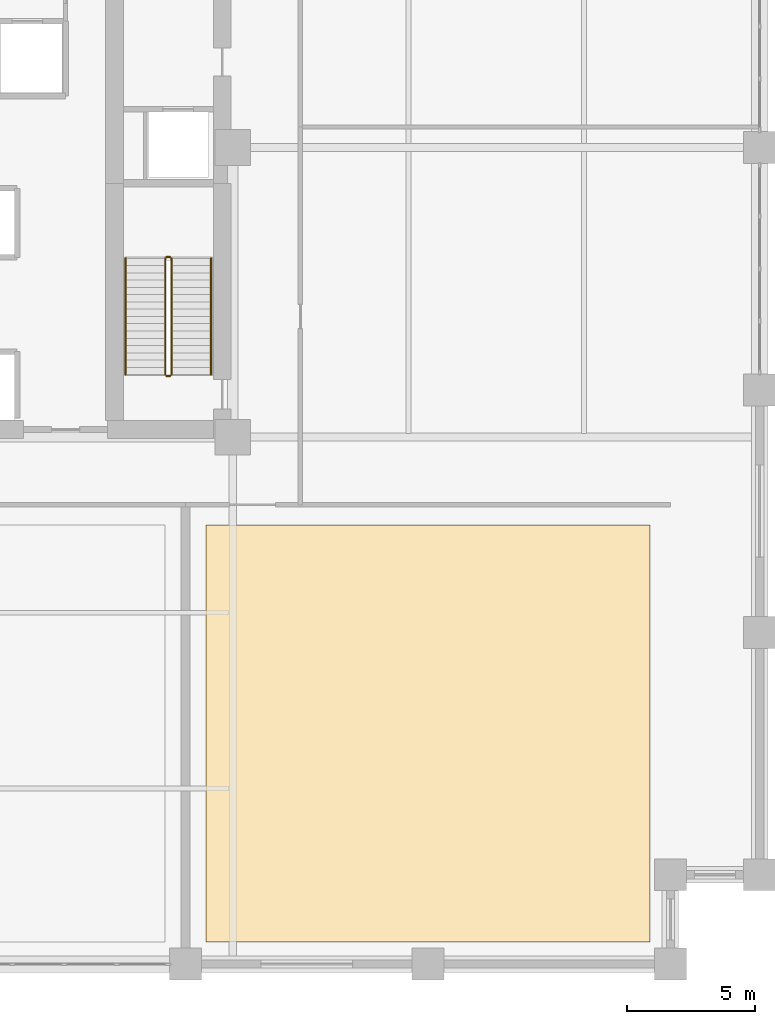
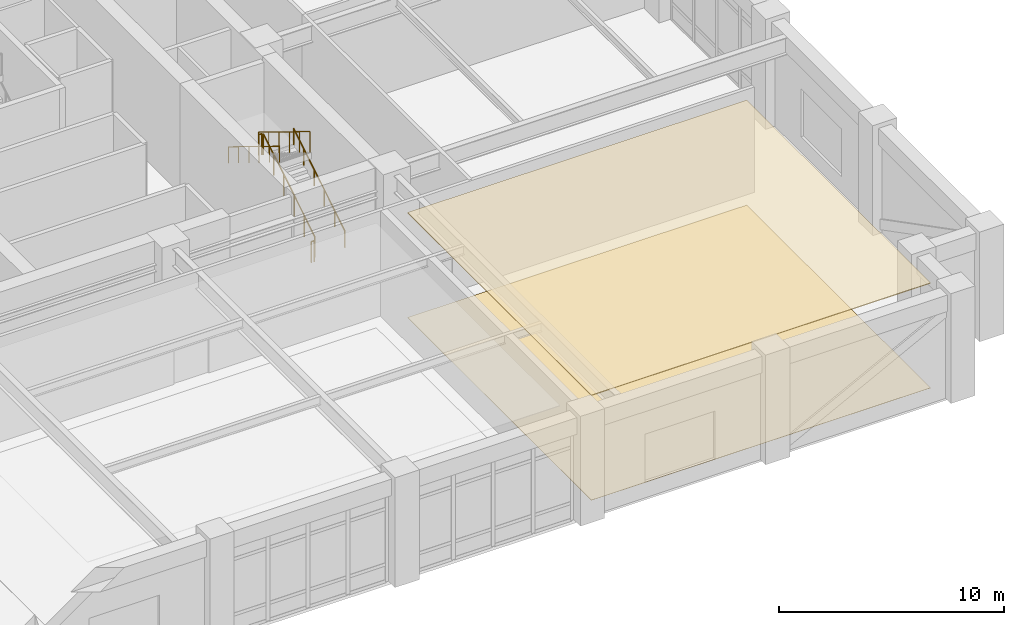
# One storey, part 18 of 21: 6 railings, 2 coverings.
"""IFC4 building model written with IfcOpenShell, lengths in metres."""

from ifc_helpers import new_model, si_unit, direction, frame, origin, origin_2d, place, context, subcontext, project, spatial, polyline, circle, outline, extrude, material, layer, layer_set, type_object, element, save


model = new_model("IFC4")

# Units and contexts
model_context = context("Model", 3, precision=1e-05, world=origin(), true_north=direction((0.0, 1.0)))
body_context = subcontext(model_context, "Body", "Model", "MODEL_VIEW")
ifc_project = project(units=[si_unit("LENGTHUNIT", "METRE"), si_unit("AREAUNIT", "SQUARE_METRE"), si_unit("VOLUMEUNIT", "CUBIC_METRE"), si_unit("PLANEANGLEUNIT", "RADIAN"), si_unit("MASSUNIT", "GRAM", prefix="KILO")], contexts=[model_context])

# Site, building, storey
site_placement = place(None, origin())
site = spatial("IfcSite", under=ifc_project, at=site_placement, CompositionType="ELEMENT")
building_placement = place(site_placement, origin())
building = spatial("IfcBuilding", under=site, at=building_placement, Name="Nhamokura Convention Tower", CompositionType="ELEMENT")
storey_placement = place(building_placement, frame((0.0, 0.0, 17.85009765625)))
storey = spatial("IfcBuildingStorey", under=building, at=storey_placement, Name="L03", CompositionType="ELEMENT", Elevation=17.85009765625)

# Covering
ifc_material_1 = material(Name="Anodised bronze aluminium ceiling baffle", Category="aluminium")
ifc_layer_1 = layer(ifc_material_1, 0.0400390625)
ifc_layer_set_1 = layer_set([ifc_layer_1], Name="BronzeBaffleCeiling_40")
covering_type_1 = type_object("IfcCoveringType", Name="BronzeBaffleCeiling_40", PredefinedType="CEILING", material=ifc_layer_set_1)
covering_1_placement = place(storey_placement, frame((0.0, 0.0, 5.669921875)))
element("IfcCovering", 1, at=covering_1_placement, inside=storey, type_object=covering_type_1, Name="L03 Suspended Ceiling 04", PredefinedType="CEILING", context=body_context, shape_type="SweptSolid", body=[
    extrude(outline(polyline([(42.300048828125, 0.860107421875), (59.699951171875, 0.860107421875), (59.699951171875, 17.199951171875), (42.300048828125, 17.199951171875), (42.300048828125, 0.860107421875)])), origin(), (0.0, 0.0, 1.0), 0.0400390625),
])

# Railings
ifc_material_2 = material(Name="Anodised bronze stainless steel", Category="steel")
railing_type_1 = type_object("IfcRailingType", Name="StairWallHandrail_900", PredefinedType="HANDRAIL", material=ifc_material_2)
railing_1_placement = place(storey_placement, frame((42.5, 23.10009765625, 0.1748046875)))
element("IfcRailing", 2, at=railing_1_placement, inside=storey, type_object=railing_type_1, Name="L03 ST-02 stair handrail 1", PredefinedType="HANDRAIL", context=body_context, shape_type="SweptSolid", body=[
    extrude(circle(Radius=0.02392578125, at=origin_2d()), frame((0.0, 0.0, 0.8759765625), z_axis=(0.0, 0.852157662035, 0.523285122122), x_axis=(-1.0, 0.0, 0.0)), (0.0, 0.0, 1.0), 5.350830078125),
    extrude(circle(Radius=0.02099609375, at=origin_2d()), origin(), (0.0, 0.0, 1.0), 0.851806640625),
    extrude(circle(Radius=0.02099609375, at=origin_2d()), frame((0.0, 0.911865234375, 0.56005859375)), (0.0, 0.0, 1.0), 0.851806640625),
    extrude(circle(Radius=0.02099609375, at=origin_2d()), frame((0.0, 1.823974609375, 1.1201171875)), (0.0, 0.0, 1.0), 0.851806640625),
    extrude(circle(Radius=0.02099609375, at=origin_2d()), frame((0.0, 2.73583984375, 1.679931640625)), (0.0, 0.0, 1.0), 0.851806640625),
    extrude(circle(Radius=0.02099609375, at=origin_2d()), frame((0.0, 3.64794921875, 2.239990234375)), (0.0, 0.0, 1.0), 0.851806640625),
    extrude(circle(Radius=0.02099609375, at=origin_2d()), frame((0.0, 4.559814453125, 2.800048828125)), (0.0, 0.0, 1.0), 0.851806640625),
])
railing_2_placement = place(storey_placement, frame((39.14990234375, 27.659912109375, 3.14990234375)))
element("IfcRailing", 3, at=railing_2_placement, inside=storey, type_object=railing_type_1, Name="L03 ST-02 stair handrail 2", PredefinedType="HANDRAIL", context=body_context, shape_type="SweptSolid", body=[
    extrude(circle(Radius=0.02392578125, at=origin_2d()), frame((0.0, 0.0, 0.8759765625), z_axis=(0.0, -0.852157662035, 0.523285122122), x_axis=(1.0, 0.0, 0.0)), (0.0, 0.0, 1.0), 5.350830078125),
    extrude(circle(Radius=0.02099609375, at=origin_2d()), origin(), (0.0, 0.0, 1.0), 0.851806640625),
    extrude(circle(Radius=0.02099609375, at=origin_2d()), frame((0.0, -0.911865234375, 0.56005859375)), (0.0, 0.0, 1.0), 0.851806640625),
    extrude(circle(Radius=0.02099609375, at=origin_2d()), frame((0.0, -1.823974609375, 1.1201171875)), (0.0, 0.0, 1.0), 0.851806640625),
    extrude(circle(Radius=0.02099609375, at=origin_2d()), frame((0.0, -2.73583984375, 1.679931640625)), (0.0, 0.0, 1.0), 0.851806640625),
    extrude(circle(Radius=0.02099609375, at=origin_2d()), frame((0.0, -3.64794921875, 2.239990234375)), (0.0, 0.0, 1.0), 0.851806640625),
    extrude(circle(Radius=0.02099609375, at=origin_2d()), frame((0.0, -4.559814453125, 2.800048828125)), (0.0, 0.0, 1.0), 0.851806640625),
])
ifc_material_3 = material(Name="Painted tubular steel", Category="steel")
railing_type_2 = type_object("IfcRailingType", Name="StairWellGuardrail_1150", PredefinedType="GUARDRAIL", material=ifc_material_3)
railing_3_placement = place(storey_placement, frame((40.949951171875, 23.10009765625, 0.1748046875)))
element("IfcRailing", 4, at=railing_3_placement, inside=storey, type_object=railing_type_2, Name="L03 ST-02 stair guard 1", PredefinedType="GUARDRAIL", context=body_context, shape_type="SweptSolid", body=[
    extrude(circle(Radius=0.02392578125, at=origin_2d()), frame((0.0, 0.0, 1.1259765625), z_axis=(0.0, 0.852157662035, 0.523285122122), x_axis=(-1.0, 0.0, 0.0)), (0.0, 0.0, 1.0), 5.350830078125),
    extrude(circle(Radius=0.02099609375, at=origin_2d()), origin(), (0.0, 0.0, 1.0), 1.101806640625),
    extrude(circle(Radius=0.02099609375, at=origin_2d()), frame((0.0, 0.911865234375, 0.56005859375)), (0.0, 0.0, 1.0), 1.101806640625),
    extrude(circle(Radius=0.02099609375, at=origin_2d()), frame((0.0, 1.823974609375, 1.1201171875)), (0.0, 0.0, 1.0), 1.101806640625),
    extrude(circle(Radius=0.02099609375, at=origin_2d()), frame((0.0, 2.73583984375, 1.679931640625)), (0.0, 0.0, 1.0), 1.101806640625),
    extrude(circle(Radius=0.02099609375, at=origin_2d()), frame((0.0, 3.64794921875, 2.239990234375)), (0.0, 0.0, 1.0), 1.101806640625),
    extrude(circle(Radius=0.02099609375, at=origin_2d()), frame((0.0, 4.559814453125, 2.800048828125)), (0.0, 0.0, 1.0), 1.101806640625),
])
railing_4_placement = place(storey_placement, frame((40.89990234375, 27.7099609375, 2.974853515625)))
element("IfcRailing", 5, at=railing_4_placement, inside=storey, type_object=railing_type_2, Name="L03 ST-02 stair guard 2", PredefinedType="GUARDRAIL", context=body_context, shape_type="SweptSolid", body=[
    extrude(circle(Radius=0.02392578125, at=origin_2d()), frame((0.0, 0.0, 1.1259765625), z_axis=(-1.0, 0.0, 0.0), x_axis=(0.0, -1.0, 0.0)), (0.0, 0.0, 1.0), 0.14990234375),
    extrude(circle(Radius=0.02099609375, at=origin_2d()), origin(), (0.0, 0.0, 1.0), 1.101806640625),
    extrude(circle(Radius=0.02099609375, at=origin_2d()), frame((-0.14990234375, 0.0, 0.0)), (0.0, 0.0, 1.0), 1.101806640625),
])
railing_5_placement = place(storey_placement, frame((40.699951171875, 27.659912109375, 3.14990234375)))
element("IfcRailing", 6, at=railing_5_placement, inside=storey, type_object=railing_type_2, Name="L03 ST-02 stair guard 3", PredefinedType="GUARDRAIL", context=body_context, shape_type="SweptSolid", body=[
    extrude(circle(Radius=0.02392578125, at=origin_2d()), frame((0.0, 0.0, 1.1259765625), z_axis=(0.0, -0.852157662035, 0.523285122122), x_axis=(1.0, 0.0, 0.0)), (0.0, 0.0, 1.0), 5.350830078125),
    extrude(circle(Radius=0.02099609375, at=origin_2d()), origin(), (0.0, 0.0, 1.0), 1.101806640625),
    extrude(circle(Radius=0.02099609375, at=origin_2d()), frame((0.0, -0.911865234375, 0.56005859375)), (0.0, 0.0, 1.0), 1.101806640625),
    extrude(circle(Radius=0.02099609375, at=origin_2d()), frame((0.0, -1.823974609375, 1.1201171875)), (0.0, 0.0, 1.0), 1.101806640625),
    extrude(circle(Radius=0.02099609375, at=origin_2d()), frame((0.0, -2.73583984375, 1.679931640625)), (0.0, 0.0, 1.0), 1.101806640625),
    extrude(circle(Radius=0.02099609375, at=origin_2d()), frame((0.0, -3.64794921875, 2.239990234375)), (0.0, 0.0, 1.0), 1.101806640625),
    extrude(circle(Radius=0.02099609375, at=origin_2d()), frame((0.0, -4.559814453125, 2.800048828125)), (0.0, 0.0, 1.0), 1.101806640625),
])
railing_6_placement = place(storey_placement, frame((40.89990234375, 23.050048828125, 0.0)))
element("IfcRailing", 7, at=railing_6_placement, inside=storey, type_object=railing_type_2, Name="L03 ST-02 stair guard 4", PredefinedType="GUARDRAIL", context=body_context, shape_type="SweptSolid", body=[
    extrude(circle(Radius=0.02392578125, at=origin_2d()), frame((0.0, 0.0, 1.1259765625), z_axis=(-1.0, 0.0, 0.0), x_axis=(0.0, -1.0, 0.0)), (0.0, 0.0, 1.0), 0.14990234375),
    extrude(circle(Radius=0.02099609375, at=origin_2d()), origin(), (0.0, 0.0, 1.0), 1.101806640625),
    extrude(circle(Radius=0.02099609375, at=origin_2d()), frame((-0.14990234375, 0.0, 0.0)), (0.0, 0.0, 1.0), 1.101806640625),
])

# Covering
ifc_material_4 = material(Name="Acoustic woven hospitality carpet", Category="wood")
ifc_layer_2 = layer(ifc_material_4, 0.014892578125)
ifc_layer_set_2 = layer_set([ifc_layer_2], Name="WovenCarpetFlooring_15")
covering_type_2 = type_object("IfcCoveringType", Name="WovenCarpetFlooring_15", PredefinedType="FLOORING", material=ifc_layer_set_2)
covering_2_placement = place(storey_placement, origin())
element("IfcCovering", 8, at=covering_2_placement, inside=storey, type_object=covering_type_2, Name="L03 Finish Flooring 04", PredefinedType="FLOORING", context=body_context, shape_type="SweptSolid", body=[
    extrude(outline(polyline([(42.300048828125, 0.860107421875), (59.699951171875, 0.860107421875), (59.699951171875, 17.199951171875), (42.300048828125, 17.199951171875), (42.300048828125, 0.860107421875)])), origin(), (0.0, 0.0, 1.0), 0.014892578125),
])

save(model, "model.ifc")
